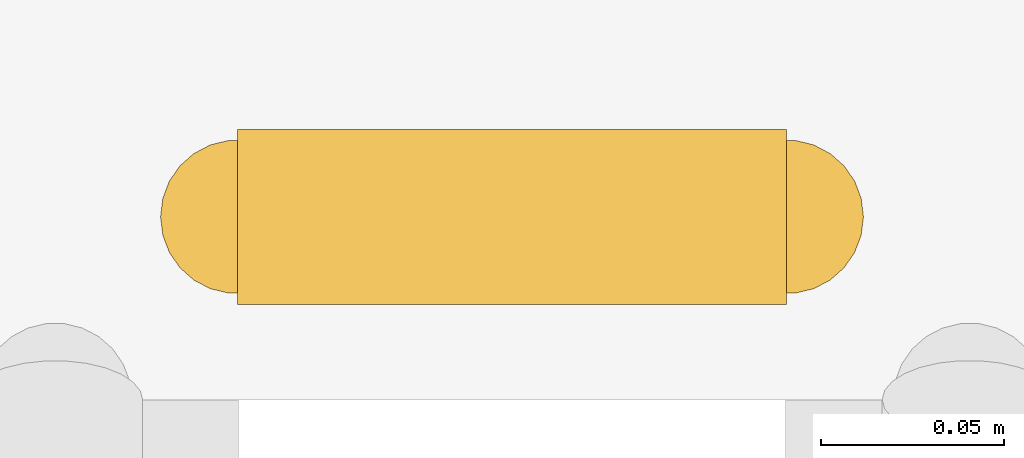
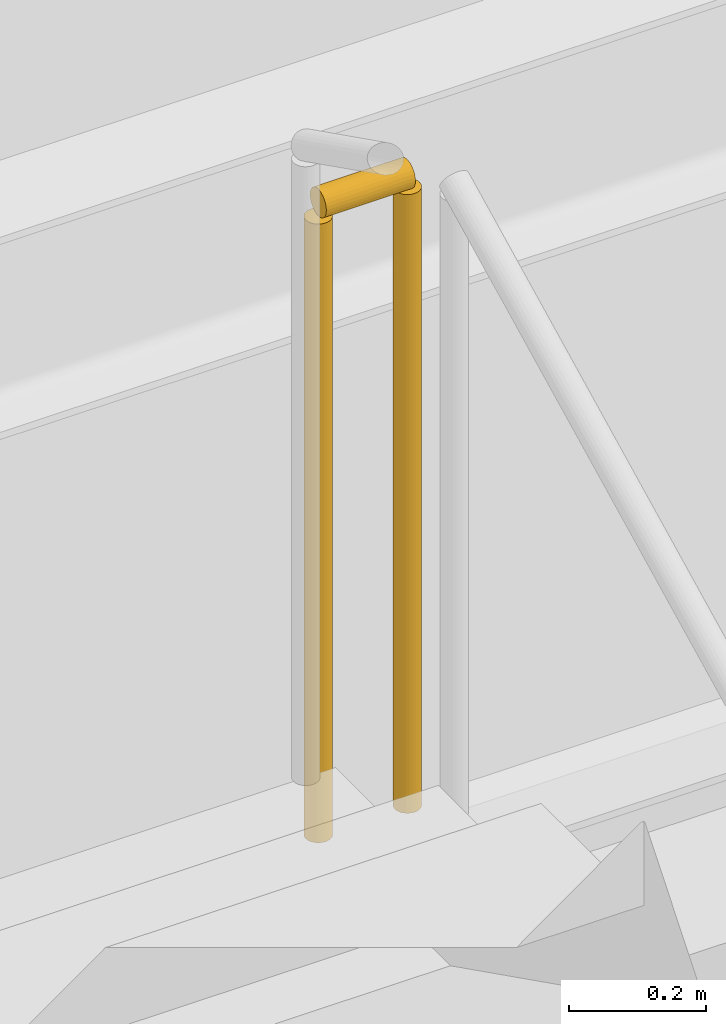
# One storey, part 35 of 39: 1 railing.
"""IFC4 building model written with IfcOpenShell, lengths in metres."""

from ifc_helpers import new_model, si_unit, direction, frame, origin, origin_2d, place, context, subcontext, project, spatial, circle, extrude, material, type_object, element, save


model = new_model("IFC4")

# Units and contexts
model_context = context("Model", 3, precision=1e-05, world=origin(), true_north=direction((0.0, 1.0)))
body_context = subcontext(model_context, "Body", "Model", "MODEL_VIEW")
ifc_project = project(units=[si_unit("LENGTHUNIT", "METRE"), si_unit("AREAUNIT", "SQUARE_METRE"), si_unit("VOLUMEUNIT", "CUBIC_METRE"), si_unit("PLANEANGLEUNIT", "RADIAN"), si_unit("MASSUNIT", "GRAM", prefix="KILO")], contexts=[model_context])

# Site, building, storey
site_placement = place(None, origin())
site = spatial("IfcSite", under=ifc_project, at=site_placement, CompositionType="ELEMENT")
building_placement = place(site_placement, origin())
building = spatial("IfcBuilding", under=site, at=building_placement, Name="Punatoya Terracotta Tower", CompositionType="ELEMENT")
storey_placement = place(building_placement, frame((0.0, 0.0, 11.39990234375)))
storey = spatial("IfcBuildingStorey", under=building, at=storey_placement, Name="L02", CompositionType="ELEMENT", Elevation=11.39990234375)

# Railing
ifc_material = material(Name="Steel S355", Category="steel")
railing_type = type_object("IfcRailingType", Name="RLG-GRD-1150", PredefinedType="GUARDRAIL", material=ifc_material)
railing_placement = place(storey_placement, frame((8.050048828125, 1.35009765625, 2.7001953125)))
element("IfcRailing", 1, at=railing_placement, inside=storey, type_object=railing_type, Name="L02 ST-2 stair guard 2", PredefinedType="GUARDRAIL", context=body_context, shape_type="SweptSolid", body=[
    extrude(circle(Radius=0.02392578125, at=origin_2d()), frame((0.0, 0.0, 1.1259765625), z_axis=(-1.0, 0.0, 0.0), x_axis=(0.0, -1.0, 0.0)), (0.0, 0.0, 1.0), 0.150146484375),
    extrude(circle(Radius=0.02099609375, at=origin_2d()), origin(), (0.0, 0.0, 1.0), 1.101806640625),
    extrude(circle(Radius=0.02099609375, at=origin_2d()), frame((-0.150146484375, 0.0, 0.0)), (0.0, 0.0, 1.0), 1.101806640625),
])

save(model, "model.ifc")
